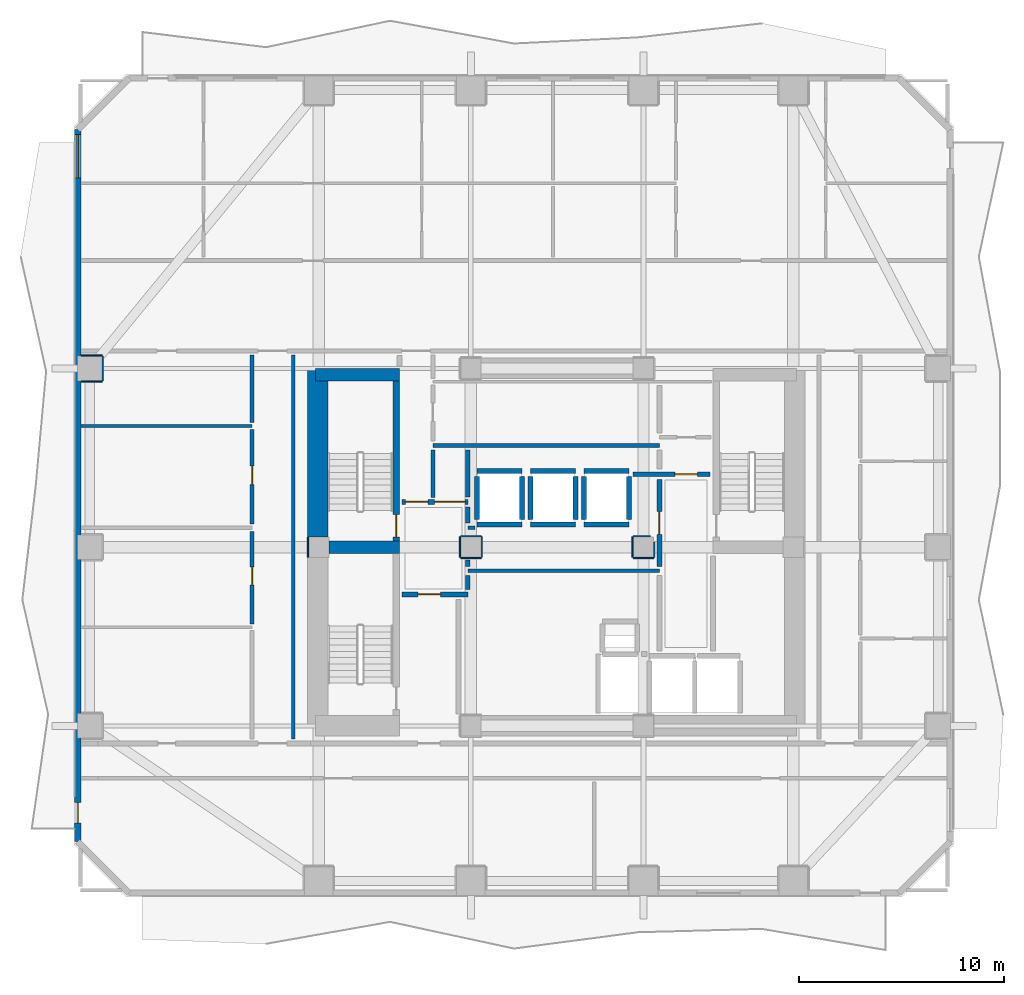
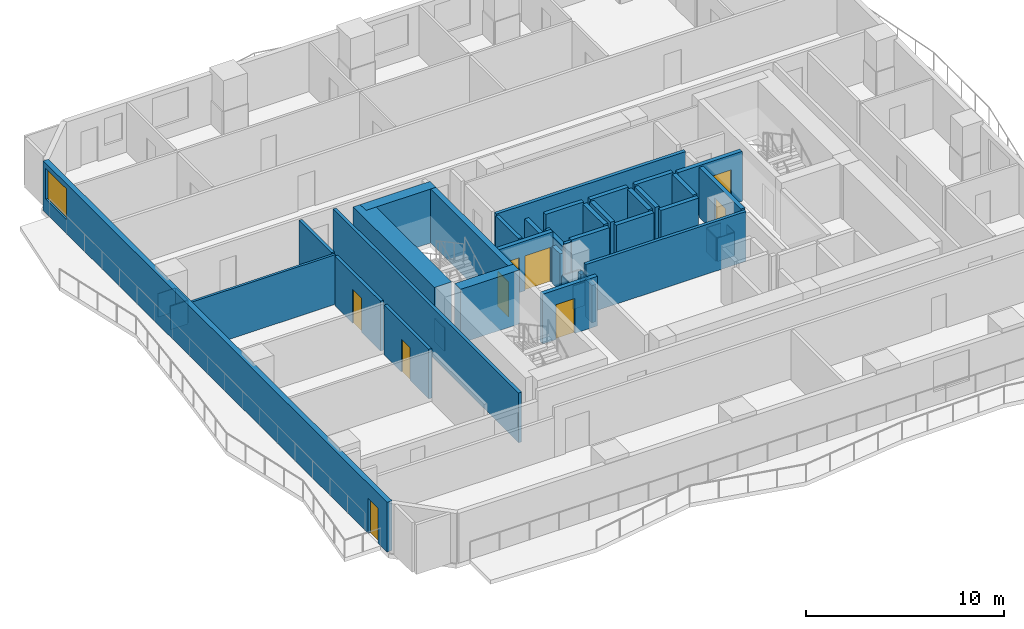
# One storey, part 3 of 10: 46 walls, 9 doors, 1 window, 10 openings.
"""IFC4 building model written with IfcOpenShell, lengths in metres."""

from ifc_helpers import new_model, si_unit, direction, frame, frame_2d, origin, place, context, subcontext, project, spatial, rectangle, extrude, material, layer, layer_set, type_object, element, fill, save


model = new_model("IFC4")

# Units and contexts
model_context = context("Model", 3, precision=1e-05, world=origin(), true_north=direction((0.0, 1.0)))
body_context = subcontext(model_context, "Body", "Model", "MODEL_VIEW")
ifc_project = project(units=[si_unit("LENGTHUNIT", "METRE"), si_unit("AREAUNIT", "SQUARE_METRE"), si_unit("VOLUMEUNIT", "CUBIC_METRE"), si_unit("PLANEANGLEUNIT", "RADIAN"), si_unit("MASSUNIT", "GRAM", prefix="KILO")], contexts=[model_context])

# Site, building, storey
site_placement = place(None, origin())
site = spatial("IfcSite", under=ifc_project, at=site_placement, CompositionType="ELEMENT")
building_placement = place(site_placement, origin())
building = spatial("IfcBuilding", under=site, at=building_placement, Name="Solanera Arch Residences", CompositionType="ELEMENT")
storey_placement = place(building_placement, frame((0.0, 0.0, 92.800048828125)))
storey = spatial("IfcBuildingStorey", under=building, at=storey_placement, Name="L26", CompositionType="ELEMENT", Elevation=92.800048828125)

# Walls
ifc_material_1 = material(Name="Fire-Rated Gypsum Stud Partition", Category="gypsum")
ifc_layer_1 = layer(ifc_material_1, 0.06005859375)
ifc_layer_set_1 = layer_set([ifc_layer_1], Name="Fire-Rated Gypsum Stud Partition")
wall_type_1 = type_object("IfcWallType", Name="Column Acoustic Furring Wall 60", PredefinedType="PARTITIONING", material=ifc_layer_set_1)
wall_1_placement = place(storey_placement, frame((12.867919921875, 30.2099609375, 0.0), z_axis=(0.0, 0.0, 1.0), x_axis=(0.0, 1.0, 0.0)))
element("IfcWall", 1, at=wall_1_placement, inside=storey, type_object=wall_type_1, Name="L26 Column Furring 5W", PredefinedType="PARTITIONING", context=body_context, shape_type="SweptSolid", body=[
    extrude(rectangle(XDim=0.97998046875, YDim=0.06005859375, at=frame_2d((0.489990234375, 0.0))), origin(), (0.0, 0.0, 1.0), 1.449951171875),
])
for number, where, z_axis, x_axis, name in (
    (2, (20.300048828125, 30.16796875, 0.0), (0.0, 0.0, 1.0), (1.0, 0.0, 0.0), "L26 Column Furring 7S"),
    (3, (20.300048828125, 31.23193359375, 0.0), (0.0, 0.0, 1.0), (1.0, 0.0, 0.0), "L26 Column Furring 7N"),
    (4, (20.26806640625, 30.199951171875, 0.0), (0.0, 0.0, 1.0), (0.0, 1.0, 0.0), "L26 Column Furring 7W"),
    (5, (21.33203125, 30.199951171875, 0.0), (0.0, 0.0, 1.0), (0.0, 1.0, 0.0), "L26 Column Furring 7E"),
    (6, (28.699951171875, 30.16796875, 0.0), (0.0, 0.0, 1.0), (1.0, 0.0, 0.0), "L26 Column Furring 8S"),
):
    element("IfcWall", number, at=place(storey_placement, frame(where, z_axis=z_axis, x_axis=x_axis)), inside=storey, type_object=wall_type_1, Name=name, PredefinedType="PARTITIONING", context=body_context, shape_type="SweptSolid", body=[
        extrude(rectangle(XDim=1.0, YDim=0.06005859375, at=frame_2d((0.5, 0.0))), origin(), (0.0, 0.0, 1.0), 1.449951171875),
    ])
wall_2_placement = place(storey_placement, frame((28.699951171875, 31.23193359375, 0.0), z_axis=(0.0, 0.0, 1.0), x_axis=(1.0, 0.0, 0.0)))
element("IfcWall", 7, at=wall_2_placement, inside=storey, type_object=wall_type_1, Name="L26 Column Furring 8N", PredefinedType="PARTITIONING", context=body_context, shape_type="SweptSolid", body=[
    extrude(rectangle(XDim=0.8349609375, YDim=0.06005859375, at=frame_2d((0.41748046875, 0.0))), origin(), (0.0, 0.0, 1.0), 1.449951171875),
])
wall_3_placement = place(storey_placement, frame((28.66796875, 30.199951171875, 0.0), z_axis=(0.0, 0.0, 1.0), x_axis=(0.0, 1.0, 0.0)))
element("IfcWall", 8, at=wall_3_placement, inside=storey, type_object=wall_type_1, Name="L26 Column Furring 8W", PredefinedType="PARTITIONING", context=body_context, shape_type="SweptSolid", body=[
    extrude(rectangle(XDim=1.0, YDim=0.06005859375, at=frame_2d((0.5, 0.0))), origin(), (0.0, 0.0, 1.0), 1.449951171875),
])
wall_4_placement = place(storey_placement, frame((29.73193359375, 30.199951171875, 0.0), z_axis=(0.0, 0.0, 1.0), x_axis=(0.0, 1.0, 0.0)))
element("IfcWall", 9, at=wall_4_placement, inside=storey, type_object=wall_type_1, Name="L26 Column Furring 8E", PredefinedType="PARTITIONING", context=body_context, shape_type="SweptSolid", body=[
    extrude(rectangle(XDim=0.7470703125, YDim=0.06005859375, at=frame_2d((0.37353515625, 0.0))), origin(), (0.0, 0.0, 1.0), 1.449951171875),
])
for number, where, z_axis, x_axis, name in (
    (10, (1.830078125, 38.76806640625, 0.0), (0.0, 0.0, 1.0), (1.0, 0.0, 0.0), "L26 Column Furring 21S"),
    (11, (1.830078125, 40.031982421875, 0.0), (0.0, 0.0, 1.0), (1.0, 0.0, 0.0), "L26 Column Furring 21N"),
):
    element("IfcWall", number, at=place(storey_placement, frame(where, z_axis=z_axis, x_axis=x_axis)), inside=storey, type_object=wall_type_1, Name=name, PredefinedType="PARTITIONING", context=body_context, shape_type="SweptSolid", body=[
        extrude(rectangle(XDim=1.02001953125, YDim=0.06005859375, at=frame_2d((0.510009765625, 0.0))), origin(), (0.0, 0.0, 1.0), 1.449951171875),
    ])
wall_5_placement = place(storey_placement, frame((2.882080078125, 38.800048828125, 0.0), z_axis=(0.0, 0.0, 1.0), x_axis=(0.0, 1.0, 0.0)))
element("IfcWall", 12, at=wall_5_placement, inside=storey, type_object=wall_type_1, Name="L26 Column Furring 21E", PredefinedType="PARTITIONING", context=body_context, shape_type="SweptSolid", body=[
    extrude(rectangle(XDim=1.199951171875, YDim=0.06005859375, at=frame_2d((0.60009765625, 0.0))), origin(), (0.0, 0.0, 1.0), 1.449951171875),
])
ifc_material_2 = material(Name="Concrete C55/67 (f'c = 60 MPa)", Category="concrete")
ifc_layer_2 = layer(ifc_material_2, 1.0)
ifc_layer_set_2 = layer_set([ifc_layer_2], Name="Concrete C55/67 (f'c = 60 MPa)")
wall_type_2 = type_object("IfcWallType", Name="Core Shear Wall CW-1000", PredefinedType="SHEAR", material=ifc_layer_set_2)
wall_6_placement = place(storey_placement, frame((13.340087890625, 31.205078125, 0.0), z_axis=(0.0, 0.0, 1.0), x_axis=(0.0, 1.0, 0.0)))
element("IfcWall", 13, at=wall_6_placement, inside=storey, type_object=wall_type_2, Name="L26 West Core North Shear Wall", PredefinedType="SHEAR", context=body_context, shape_type="SweptSolid", body=[
    extrude(rectangle(XDim=8.19482421875, YDim=1.0, at=frame_2d((4.097412109375, 0.0))), origin(), (0.0, 0.0, 1.0), 3.320068359375),
])

# Wall, opening, door
ifc_material_3 = material(Name="Concrete C40/50 (f'c = 45 MPa)", Category="concrete")
ifc_layer_3 = layer(ifc_material_3, 0.320068359375)
ifc_layer_set_3 = layer_set([ifc_layer_3], Name="Concrete C40/50 (f'c = 45 MPa)")
wall_type_3 = type_object("IfcWallType", Name="Core Shear Wall CW-320", PredefinedType="SHEAR", material=ifc_layer_set_3)
wall_7_placement = place(storey_placement, frame((17.159912109375, 31.0, 0.0), z_axis=(0.0, 0.0, 1.0), x_axis=(0.0, 1.0, 0.0)))
wall_7 = element("IfcWall", 14, at=wall_7_placement, inside=storey, type_object=wall_type_3, Name="L26 Stair ST-T1 East Shear Wall", PredefinedType="SHEAR", context=body_context, shape_type="SweptSolid", body=[
    extrude(rectangle(XDim=7.800048828125, YDim=0.320068359375, at=frame_2d((3.89990234375, 0.0))), origin(), (0.0, 0.0, 1.0), 3.320068359375),
])
opening_1_placement = place(wall_7_placement, frame((0.18994140625, 0.0, 0.0)))
opening_1 = element("IfcOpeningElement", 15, at=opening_1_placement, cuts=wall_7, Name="Opening DF-01", PredefinedType="OPENING", context=body_context, shape_type="SweptSolid", body=[
    extrude(rectangle(XDim=1.10009765625, YDim=2.14990234375, at=frame_2d((0.550048828125, 1.074951171875))), frame((0.0, 0.169921875, 0.0), z_axis=(0.0, -1.0, 0.0), x_axis=(1.0, 0.0, 0.0)), (0.0, 0.0, 1.0), 0.3401),
])
ifc_material_4 = material(Name="Fire-Rated Architectural Hardwood", Category="wood")
door_type_1 = type_object("IfcDoorType", Name="Stair Exit Fire Door DF-01", OperationType="NOTDEFINED", PredefinedType="DOOR", material=ifc_material_4)
door_1_placement = place(opening_1_placement, origin())
door_1 = element("IfcDoor", 16, at=door_1_placement, inside=storey, type_object=door_type_1, Name="DR-L26-STAIR-ST-T1", OperationType="SINGLE_SWING_RIGHT", OverallHeight=2.14990234375, OverallWidth=1.10009765625, PredefinedType="DOOR", context=body_context, shape_type="SweptSolid", body=[
    extrude(rectangle(XDim=1.10009765625, YDim=2.14990234375, at=frame_2d((0.550048828125, 1.074951171875))), frame((0.0, 0.02490234375, 0.0), z_axis=(0.0, -1.0, 0.0), x_axis=(1.0, 0.0, 0.0)), (0.0, 0.0, 1.0), 0.050048828125),
])
fill(opening_1, door_1)

# Walls
ifc_material_5 = material(Name="Concrete C40/50 (f'c = 45 MPa)", Category="concrete")
ifc_layer_4 = layer(ifc_material_5, 0.60009765625)
ifc_layer_set_4 = layer_set([ifc_layer_4], Name="Concrete C40/50 (f'c = 45 MPa)")
wall_type_4 = type_object("IfcWallType", Name="Core Shear Wall CW-600", PredefinedType="SHEAR", material=ifc_layer_set_4)
wall_8_placement = place(storey_placement, frame((13.239990234375, 39.10009765625, 0.0), z_axis=(0.0, 0.0, 1.0), x_axis=(1.0, 0.0, 0.0)))
element("IfcWall", 17, at=wall_8_placement, inside=storey, type_object=wall_type_4, Name="L26 North-West Core Shear Wall", PredefinedType="SHEAR", context=body_context, shape_type="SweptSolid", body=[
    extrude(rectangle(XDim=4.080078125, YDim=0.60009765625, at=frame_2d((2.0400390625, 0.0))), origin(), (0.0, 0.0, 1.0), 3.320068359375),
])
wall_9_placement = place(storey_placement, frame((13.905029296875, 30.699951171875, 0.0), z_axis=(0.0, 0.0, 1.0), x_axis=(1.0, 0.0, 0.0)))
element("IfcWall", 18, at=wall_9_placement, inside=storey, type_object=wall_type_4, Name="L26 West Stair Divider Shear Wall", PredefinedType="SHEAR", context=body_context, shape_type="SweptSolid", body=[
    extrude(rectangle(XDim=3.4150390625, YDim=0.60009765625, at=frame_2d((1.70751953125, 0.0))), origin(), (0.0, 0.0, 1.0), 3.320068359375),
])
ifc_material_6 = material(Name="Autoclaved Aerated Concrete Blockwork", Category="masonry")
ifc_layer_5 = layer(ifc_material_6, 0.179931640625)
ifc_layer_set_5 = layer_set([ifc_layer_5], Name="Autoclaved Aerated Concrete Blockwork")
wall_type_5 = type_object("IfcWallType", Name="Corridor Fire Partition 180", PredefinedType="PARTITIONING", material=ifc_layer_set_5)
wall_10_placement = place(storey_placement, frame((20.64990234375, 29.550048828125, 0.0), z_axis=(0.0, 0.0, 1.0), x_axis=(1.0, 0.0, 0.0)))
element("IfcWall", 19, at=wall_10_placement, inside=storey, type_object=wall_type_5, Name="L26 Interior Partition H9", PredefinedType="PARTITIONING", context=body_context, shape_type="SweptSolid", body=[
    extrude(rectangle(XDim=9.3251953125, YDim=0.179931640625, at=frame_2d((4.66259765625, 0.0))), origin(), (0.0, 0.0, 1.0), 3.06005859375),
])
wall_11_placement = place(storey_placement, frame((20.64990234375, 31.64990234375, 0.0), z_axis=(0.0, 0.0, 1.0), x_axis=(1.0, 0.0, 0.0)))
element("IfcWall", 20, at=wall_11_placement, inside=storey, type_object=wall_type_5, Name="L26 Interior Partition H11", PredefinedType="PARTITIONING", context=body_context, shape_type="SweptSolid", body=[
    extrude(rectangle(XDim=0.357177734375, YDim=0.179931640625, at=frame_2d((0.1787109375, 0.0))), origin(), (0.0, 0.0, 1.0), 3.06005859375),
])

# Wall, opening, door
wall_12_placement = place(storey_placement, frame((10.14990234375, 26.968017578125, 0.0), z_axis=(0.0, 0.0, 1.0), x_axis=(0.0, 1.0, 0.0)))
wall_12 = element("IfcWall", 21, at=wall_12_placement, inside=storey, type_object=wall_type_5, Name="L26 Interior Partition V8 2", PredefinedType="PARTITIONING", context=body_context, shape_type="SweptSolid", body=[
    extrude(rectangle(XDim=4.493896484375, YDim=0.179931640625, at=frame_2d((2.2470703125, 0.0))), origin(), (0.0, 0.0, 1.0), 3.06005859375),
])
opening_2_placement = place(wall_12_placement, frame((1.902099609375, 0.0, 0.0)))
opening_2 = element("IfcOpeningElement", 22, at=opening_2_placement, cuts=wall_12, Name="Opening DI-05", PredefinedType="OPENING", context=body_context, shape_type="SweptSolid", body=[
    extrude(rectangle(XDim=0.860107421875, YDim=2.02001953125, at=frame_2d((0.43017578125, 1.010009765625))), frame((0.0, 0.10009765625, 0.0), z_axis=(0.0, -1.0, 0.0), x_axis=(1.0, 0.0, 0.0)), (0.0, 0.0, 1.0), 0.1999),
])
ifc_material_7 = material(Name="Fire-Rated Architectural Hardwood", Category="wood")
door_type_2 = type_object("IfcDoorType", Name="Bathroom Swing Door DI-05", OperationType="NOTDEFINED", PredefinedType="DOOR", material=ifc_material_7)
door_2_placement = place(opening_2_placement, origin())
door_2 = element("IfcDoor", 23, at=door_2_placement, inside=storey, type_object=door_type_2, Name="DR-L26-IN-020", OperationType="SINGLE_SWING_LEFT", OverallHeight=2.02001953125, OverallWidth=0.860107421875, PredefinedType="DOOR", context=body_context, shape_type="SweptSolid", body=[
    extrude(rectangle(XDim=0.860107421875, YDim=2.02001953125, at=frame_2d((0.43017578125, 1.010009765625))), frame((0.0, 0.02490234375, 0.0), z_axis=(0.0, -1.0, 0.0), x_axis=(1.0, 0.0, 0.0)), (0.0, 0.0, 1.0), 0.050048828125),
])
fill(opening_2, door_2)

wall_13_placement = place(storey_placement, frame((10.14990234375, 31.837890625, 0.0), z_axis=(0.0, 0.0, 1.0), x_axis=(0.0, 1.0, 0.0)))
wall_13 = element("IfcWall", 24, at=wall_13_placement, inside=storey, type_object=wall_type_5, Name="L26 Interior Partition V8 3", PredefinedType="PARTITIONING", context=body_context, shape_type="SweptSolid", body=[
    extrude(rectangle(XDim=4.593994140625, YDim=0.179931640625, at=frame_2d((2.296875, 0.0))), origin(), (0.0, 0.0, 1.0), 3.06005859375),
])
opening_3_placement = place(wall_13_placement, frame((1.912109375, 0.0, 0.0)))
opening_3 = element("IfcOpeningElement", 25, at=opening_3_placement, cuts=wall_13, Name="Opening DI-02", PredefinedType="OPENING", context=body_context, shape_type="SweptSolid", body=[
    extrude(rectangle(XDim=0.89990234375, YDim=2.10009765625, at=frame_2d((0.449951171875, 1.050048828125))), frame((0.0, 0.10009765625, 0.0), z_axis=(0.0, -1.0, 0.0), x_axis=(1.0, 0.0, 0.0)), (0.0, 0.0, 1.0), 0.1999),
])
ifc_material_8 = material(Name="Fire-Rated Architectural Hardwood", Category="wood")
door_type_3 = type_object("IfcDoorType", Name="Suite Room Swing Door DI-02", OperationType="NOTDEFINED", PredefinedType="DOOR", material=ifc_material_8)
door_3_placement = place(opening_3_placement, origin())
door_3 = element("IfcDoor", 26, at=door_3_placement, inside=storey, type_object=door_type_3, Name="DR-L26-IN-021", OperationType="SINGLE_SWING_RIGHT", OverallHeight=2.10009765625, OverallWidth=0.89990234375, PredefinedType="DOOR", context=body_context, shape_type="SweptSolid", body=[
    extrude(rectangle(XDim=0.89990234375, YDim=2.10009765625, at=frame_2d((0.449951171875, 1.050048828125))), frame((0.0, 0.02490234375, 0.0), z_axis=(0.0, -1.0, 0.0), x_axis=(1.0, 0.0, 0.0)), (0.0, 0.0, 1.0), 0.050048828125),
])
fill(opening_3, door_3)

# Walls
wall_14_placement = place(storey_placement, frame((10.14990234375, 36.76806640625, 0.0), z_axis=(0.0, 0.0, 1.0), x_axis=(0.0, 1.0, 0.0)))
element("IfcWall", 27, at=wall_14_placement, inside=storey, type_object=wall_type_5, Name="L26 Interior Partition V8 4", PredefinedType="PARTITIONING", context=body_context, shape_type="SweptSolid", body=[
    extrude(rectangle(XDim=3.2939453125, YDim=0.179931640625, at=frame_2d((1.64697265625, 0.0))), origin(), (0.0, 0.0, 1.0), 3.06005859375),
])
wall_15_placement = place(storey_placement, frame((12.14990234375, 21.367919921875, 0.0), z_axis=(0.0, 0.0, 1.0), x_axis=(0.0, 1.0, 0.0)))
element("IfcWall", 28, at=wall_15_placement, inside=storey, type_object=wall_type_5, Name="L26 Interior Partition V9", PredefinedType="PARTITIONING", context=body_context, shape_type="SweptSolid", body=[
    extrude(rectangle(XDim=18.694091796875, YDim=0.179931640625, at=frame_2d((9.34716796875, 0.0))), origin(), (0.0, 0.0, 1.0), 3.06005859375),
])

# Wall, openings, door, window
ifc_material_9 = material(Name="Precast Concrete C35/45", Category="concrete")
ifc_layer_6 = layer(ifc_material_9, 0.300048828125)
ifc_layer_set_6 = layer_set([ifc_layer_6], Name="Precast Concrete C35/45")
wall_type_6 = type_object("IfcWallType", Name="Exterior Wall Precast Masonry-Frame 300", PredefinedType="STANDARD", material=ifc_layer_set_6)
wall_16_placement = place(storey_placement, frame((1.6650390625, 16.364990234375, 0.0), z_axis=(0.0, 0.0, 1.0), x_axis=(0.0, 1.0, 0.0)))
wall_16 = element("IfcWall", 29, at=wall_16_placement, inside=storey, type_object=wall_type_6, Name="L26 Tower Exterior Precast Masonry-Frame Wall W", PredefinedType="STANDARD", context=body_context, shape_type="SweptSolid", body=[
    extrude(rectangle(XDim=34.669921875, YDim=0.300048828125, at=frame_2d((17.3349609375, 0.0))), origin(), (0.0, 0.0, 1.0), 3.06005859375),
])
opening_4_placement = place(wall_16_placement, frame((0.90087890625, 0.0, 0.0)))
opening_4 = element("IfcOpeningElement", 30, at=opening_4_placement, cuts=wall_16, Name="Opening DB-01", PredefinedType="OPENING", context=body_context, shape_type="SweptSolid", body=[
    extrude(rectangle(XDim=1.0, YDim=2.14990234375, at=frame_2d((0.5, 1.074951171875))), frame((0.0, 0.159912109375, 0.0), z_axis=(0.0, -1.0, 0.0), x_axis=(1.0, 0.0, 0.0)), (0.0, 0.0, 1.0), 0.32),
])
opening_5_placement = place(wall_16_placement, frame((32.31396484375, 0.0, 0.85009765625)))
opening_5 = element("IfcOpeningElement", 31, at=opening_5_placement, cuts=wall_16, Name="Opening W-04", PredefinedType="OPENING", context=body_context, shape_type="SweptSolid", body=[
    extrude(rectangle(XDim=2.10009765625, YDim=1.89990234375, at=frame_2d((1.050048828125, 0.949951171875))), frame((0.0, 0.159912109375, 0.0), z_axis=(0.0, -1.0, 0.0), x_axis=(1.0, 0.0, 0.0)), (0.0, 0.0, 1.0), 0.32),
])
ifc_material_10 = material(Name="Anodised Aluminium Alloy 6063-T6", Category="aluminium")
door_type_4 = type_object("IfcDoorType", Name="Glazed Balcony Swing Door DB-01", OperationType="NOTDEFINED", PredefinedType="DOOR", material=ifc_material_10)
door_4_placement = place(opening_4_placement, origin())
door_4 = element("IfcDoor", 32, at=door_4_placement, inside=storey, type_object=door_type_4, Name="DR-L26-OUT-04", OperationType="SINGLE_SWING_LEFT", OverallHeight=2.14990234375, OverallWidth=1.0, PredefinedType="DOOR", context=body_context, shape_type="SweptSolid", body=[
    extrude(rectangle(XDim=1.0, YDim=2.14990234375, at=frame_2d((0.5, 1.074951171875))), frame((0.0, 0.02490234375, 0.0), z_axis=(0.0, -1.0, 0.0), x_axis=(1.0, 0.0, 0.0)), (0.0, 0.0, 1.0), 0.050048828125),
])
fill(opening_4, door_4)
ifc_material_11 = material(Name="Double Glazed Low-E Laminated Glass", Category="glass")
window_type = type_object("IfcWindowType", Name="Punched Window W-04", PartitioningType="DOUBLE_PANEL_VERTICAL", PredefinedType="WINDOW", material=ifc_material_11)
window_placement = place(opening_5_placement, origin())
window = element("IfcWindow", 33, at=window_placement, inside=storey, type_object=window_type, Name="L26 2601-BR1 Punched Window", OverallHeight=1.89990234375, OverallWidth=2.10009765625, PartitioningType="SINGLE_PANEL", PredefinedType="WINDOW", context=body_context, shape_type="SweptSolid", body=[
    extrude(rectangle(XDim=2.10009765625, YDim=1.89990234375, at=frame_2d((1.050048828125, 0.949951171875))), frame((0.0, 0.030029296875, 0.0), z_axis=(0.0, -1.0, 0.0), x_axis=(1.0, 0.0, 0.0)), (0.0, 0.0, 1.0), 0.06005859375),
])
fill(opening_5, window)

# Walls
ifc_material_12 = material(Name="Autoclaved Aerated Concrete Blockwork", Category="masonry")
ifc_layer_7 = layer(ifc_material_12, 0.199951171875)
ifc_layer_set_7 = layer_set([ifc_layer_7], Name="Autoclaved Aerated Concrete Blockwork")
wall_type_7 = type_object("IfcWallType", Name="Party Wall Acoustic 200", PredefinedType="PARTITIONING", material=ifc_layer_set_7)
wall_17_placement = place(storey_placement, frame((18.949951171875, 35.64990234375, 0.0), z_axis=(0.0, 0.0, 1.0), x_axis=(1.0, 0.0, 0.0)))
element("IfcWall", 34, at=wall_17_placement, inside=storey, type_object=wall_type_7, Name="L26 Interior Partition H6", PredefinedType="PARTITIONING", context=body_context, shape_type="SweptSolid", body=[
    extrude(rectangle(XDim=11.025146484375, YDim=0.199951171875, at=frame_2d((5.5126953125, 0.0))), origin(), (0.0, 0.0, 1.0), 3.06005859375),
])
wall_18_placement = place(storey_placement, frame((18.949951171875, 33.1279296875, 0.0), z_axis=(0.0, 0.0, 1.0), x_axis=(0.0, 1.0, 0.0)))
element("IfcWall", 35, at=wall_18_placement, inside=storey, type_object=wall_type_7, Name="L26 Interior Partition V6 1", PredefinedType="PARTITIONING", context=body_context, shape_type="SweptSolid", body=[
    extrude(rectangle(XDim=2.31396484375, YDim=0.199951171875, at=frame_2d((1.156982421875, 0.0))), origin(), (0.0, 0.0, 1.0), 3.06005859375),
])
ifc_material_13 = material(Name="Autoclaved Aerated Concrete Blockwork", Category="masonry")
ifc_layer_8 = layer(ifc_material_13, 0.239990234375)
ifc_layer_set_8 = layer_set([ifc_layer_8], Name="Autoclaved Aerated Concrete Blockwork")
wall_type_8 = type_object("IfcWallType", Name="Shaft Wall Fire-Rated 240", PredefinedType="PARTITIONING", material=ifc_layer_set_8)
for number, where, z_axis, x_axis, name in (
    (36, (21.10009765625, 31.800048828125, 0.0), (0.0, 0.0, 1.0), (1.0, 0.0, 0.0), "L26 Lift PL-M1 Hoistway Wall S"),
    (37, (21.10009765625, 34.39990234375, 0.0), (0.0, 0.0, 1.0), (1.0, 0.0, 0.0), "L26 Lift PL-M1 Hoistway Wall N"),
):
    element("IfcWall", number, at=place(storey_placement, frame(where, z_axis=z_axis, x_axis=x_axis)), inside=storey, type_object=wall_type_8, Name=name, PredefinedType="PARTITIONING", context=body_context, shape_type="SweptSolid", body=[
        extrude(rectangle(XDim=2.199951171875, YDim=0.239990234375, at=frame_2d((1.10009765625, 0.0))), origin(), (0.0, 0.0, 1.0), 3.06005859375),
    ])
wall_19_placement = place(storey_placement, frame((21.10009765625, 32.048095703125, 0.0), z_axis=(0.0, 0.0, 1.0), x_axis=(0.0, 1.0, 0.0)))
element("IfcWall", 38, at=wall_19_placement, inside=storey, type_object=wall_type_8, Name="L26 Lift PL-M1 Hoistway Wall W", PredefinedType="PARTITIONING", context=body_context, shape_type="SweptSolid", body=[
    extrude(rectangle(XDim=2.10400390625, YDim=0.239990234375, at=frame_2d((1.052001953125, 0.0))), origin(), (0.0, 0.0, 1.0), 2.294921875),
])
wall_20_placement = place(storey_placement, frame((23.300048828125, 32.048095703125, 0.0), z_axis=(0.0, 0.0, 1.0), x_axis=(0.0, 1.0, 0.0)))
element("IfcWall", 39, at=wall_20_placement, inside=storey, type_object=wall_type_8, Name="L26 Lift PL-M1 Hoistway Wall E", PredefinedType="PARTITIONING", context=body_context, shape_type="SweptSolid", body=[
    extrude(rectangle(XDim=2.10400390625, YDim=0.239990234375, at=frame_2d((1.052001953125, 0.0))), origin(), (0.0, 0.0, 1.0), 3.06005859375),
])
for number, where, z_axis, x_axis, name in (
    (40, (23.699951171875, 31.800048828125, 0.0), (0.0, 0.0, 1.0), (1.0, 0.0, 0.0), "L26 Lift PL-M2 Hoistway Wall S"),
    (41, (23.699951171875, 34.39990234375, 0.0), (0.0, 0.0, 1.0), (1.0, 0.0, 0.0), "L26 Lift PL-M2 Hoistway Wall N"),
):
    element("IfcWall", number, at=place(storey_placement, frame(where, z_axis=z_axis, x_axis=x_axis)), inside=storey, type_object=wall_type_8, Name=name, PredefinedType="PARTITIONING", context=body_context, shape_type="SweptSolid", body=[
        extrude(rectangle(XDim=2.199951171875, YDim=0.239990234375, at=frame_2d((1.10009765625, 0.0))), origin(), (0.0, 0.0, 1.0), 3.06005859375),
    ])
for number, where, z_axis, x_axis, name in (
    (42, (23.699951171875, 32.048095703125, 0.0), (0.0, 0.0, 1.0), (0.0, 1.0, 0.0), "L26 Lift PL-M2 Hoistway Wall W"),
    (43, (25.89990234375, 32.048095703125, 0.0), (0.0, 0.0, 1.0), (0.0, 1.0, 0.0), "L26 Lift PL-M2 Hoistway Wall E"),
):
    element("IfcWall", number, at=place(storey_placement, frame(where, z_axis=z_axis, x_axis=x_axis)), inside=storey, type_object=wall_type_8, Name=name, PredefinedType="PARTITIONING", context=body_context, shape_type="SweptSolid", body=[
        extrude(rectangle(XDim=2.10400390625, YDim=0.239990234375, at=frame_2d((1.052001953125, 0.0))), origin(), (0.0, 0.0, 1.0), 3.06005859375),
    ])
for number, where, z_axis, x_axis, name in (
    (44, (26.300048828125, 31.800048828125, 0.0), (0.0, 0.0, 1.0), (1.0, 0.0, 0.0), "L26 Lift PL-M3 Hoistway Wall S"),
    (45, (26.300048828125, 34.39990234375, 0.0), (0.0, 0.0, 1.0), (1.0, 0.0, 0.0), "L26 Lift PL-M3 Hoistway Wall N"),
):
    element("IfcWall", number, at=place(storey_placement, frame(where, z_axis=z_axis, x_axis=x_axis)), inside=storey, type_object=wall_type_8, Name=name, PredefinedType="PARTITIONING", context=body_context, shape_type="SweptSolid", body=[
        extrude(rectangle(XDim=2.199951171875, YDim=0.239990234375, at=frame_2d((1.10009765625, 0.0))), origin(), (0.0, 0.0, 1.0), 3.06005859375),
    ])
for number, where, z_axis, x_axis, name in (
    (46, (26.300048828125, 32.048095703125, 0.0), (0.0, 0.0, 1.0), (0.0, 1.0, 0.0), "L26 Lift PL-M3 Hoistway Wall W"),
    (47, (28.5, 32.048095703125, 0.0), (0.0, 0.0, 1.0), (0.0, 1.0, 0.0), "L26 Lift PL-M3 Hoistway Wall E"),
):
    element("IfcWall", number, at=place(storey_placement, frame(where, z_axis=z_axis, x_axis=x_axis)), inside=storey, type_object=wall_type_8, Name=name, PredefinedType="PARTITIONING", context=body_context, shape_type="SweptSolid", body=[
        extrude(rectangle(XDim=2.10400390625, YDim=0.239990234375, at=frame_2d((1.052001953125, 0.0))), origin(), (0.0, 0.0, 1.0), 3.06005859375),
    ])

# Wall, opening, door
wall_21_placement = place(storey_placement, frame((17.449951171875, 28.39990234375, 0.0), z_axis=(0.0, 0.0, 1.0), x_axis=(1.0, 0.0, 0.0)))
wall_21 = element("IfcWall", 48, at=wall_21_placement, inside=storey, type_object=wall_type_8, Name="L26 Interior Partition H3", PredefinedType="PARTITIONING", context=body_context, shape_type="SweptSolid", body=[
    extrude(rectangle(XDim=3.199951171875, YDim=0.239990234375, at=frame_2d((1.60009765625, 0.0))), origin(), (0.0, 0.0, 1.0), 3.06005859375),
])
opening_6_placement = place(wall_21_placement, frame((0.783935546875, 0.0, 0.0)))
opening_6 = element("IfcOpeningElement", 49, at=opening_6_placement, cuts=wall_21, Name="Opening DF-02", PredefinedType="OPENING", context=body_context, shape_type="SweptSolid", body=[
    extrude(rectangle(XDim=1.10009765625, YDim=2.14990234375, at=frame_2d((0.550048828125, 1.074951171875))), frame((0.0, 0.1298828125, 0.0), z_axis=(0.0, -1.0, 0.0), x_axis=(1.0, 0.0, 0.0)), (0.0, 0.0, 1.0), 0.26),
])
ifc_material_14 = material(Name="Fire-Rated Architectural Hardwood", Category="wood")
door_type_5 = type_object("IfcDoorType", Name="Firefighting Lobby Fire Door DF-02", OperationType="NOTDEFINED", PredefinedType="DOOR", material=ifc_material_14)
door_5_placement = place(opening_6_placement, origin())
door_5 = element("IfcDoor", 50, at=door_5_placement, inside=storey, type_object=door_type_5, Name="DR-L26-IN-004", OperationType="SINGLE_SWING_LEFT", OverallHeight=2.14990234375, OverallWidth=1.10009765625, PredefinedType="DOOR", context=body_context, shape_type="SweptSolid", body=[
    extrude(rectangle(XDim=1.10009765625, YDim=2.14990234375, at=frame_2d((0.550048828125, 1.074951171875))), frame((0.0, 0.02490234375, 0.0), z_axis=(0.0, -1.0, 0.0), x_axis=(1.0, 0.0, 0.0)), (0.0, 0.0, 1.0), 0.050048828125),
])
fill(opening_6, door_5)

# Wall, openings, doors
wall_22_placement = place(storey_placement, frame((17.449951171875, 32.89990234375, 0.0), z_axis=(0.0, 0.0, 1.0), x_axis=(1.0, 0.0, 0.0)))
wall_22 = element("IfcWall", 51, at=wall_22_placement, inside=storey, type_object=wall_type_8, Name="L26 Interior Partition H4", PredefinedType="PARTITIONING", context=body_context, shape_type="SweptSolid", body=[
    extrude(rectangle(XDim=3.199951171875, YDim=0.239990234375, at=frame_2d((1.60009765625, 0.0))), origin(), (0.0, 0.0, 1.0), 3.06005859375),
])
opening_7_placement = place(wall_22_placement, frame((0.158935546875, 0.0, 0.0)))
opening_7 = element("IfcOpeningElement", 52, at=opening_7_placement, cuts=wall_22, Name="Opening DF-02", PredefinedType="OPENING", context=body_context, shape_type="SweptSolid", body=[
    extrude(rectangle(XDim=1.10009765625, YDim=2.14990234375, at=frame_2d((0.550048828125, 1.074951171875))), frame((0.0, 0.1298828125, 0.0), z_axis=(0.0, -1.0, 0.0), x_axis=(1.0, 0.0, 0.0)), (0.0, 0.0, 1.0), 0.26),
])
opening_8_placement = place(wall_22_placement, frame((1.575927734375, 0.0, 0.0)))
opening_8 = element("IfcOpeningElement", 53, at=opening_8_placement, cuts=wall_22, Name="Opening DP-01", PredefinedType="OPENING", context=body_context, shape_type="SweptSolid", body=[
    extrude(rectangle(XDim=1.5, YDim=2.14990234375, at=frame_2d((0.75, 1.074951171875))), frame((0.0, 0.1298828125, 0.0), z_axis=(0.0, -1.0, 0.0), x_axis=(1.0, 0.0, 0.0)), (0.0, 0.0, 1.0), 0.26),
])
door_6_placement = place(opening_7_placement, origin())
door_6 = element("IfcDoor", 54, at=door_6_placement, inside=storey, type_object=door_type_5, Name="DR-L26-IN-005", OperationType="SINGLE_SWING_RIGHT", OverallHeight=2.14990234375, OverallWidth=1.10009765625, PredefinedType="DOOR", context=body_context, shape_type="SweptSolid", body=[
    extrude(rectangle(XDim=1.10009765625, YDim=2.14990234375, at=frame_2d((0.550048828125, 1.074951171875))), frame((0.0, 0.02490234375, 0.0), z_axis=(0.0, -1.0, 0.0), x_axis=(1.0, 0.0, 0.0)), (0.0, 0.0, 1.0), 0.050048828125),
])
fill(opening_7, door_6)
ifc_material_15 = material(Name="Fire-Rated Architectural Hardwood", Category="wood")
door_type_6 = type_object("IfcDoorType", Name="Plant Double Fire Door DP-01", OperationType="NOTDEFINED", PredefinedType="DOOR", material=ifc_material_15)
door_7_placement = place(opening_8_placement, origin())
door_7 = element("IfcDoor", 55, at=door_7_placement, inside=storey, type_object=door_type_6, Name="DR-L26-IN-015", OperationType="SINGLE_SWING_RIGHT", OverallHeight=2.14990234375, OverallWidth=1.5, PredefinedType="DOOR", context=body_context, shape_type="SweptSolid", body=[
    extrude(rectangle(XDim=1.5, YDim=2.14990234375, at=frame_2d((0.75, 1.074951171875))), frame((0.0, 0.02490234375, 0.0), z_axis=(0.0, -1.0, 0.0), x_axis=(1.0, 0.0, 0.0)), (0.0, 0.0, 1.0), 0.050048828125),
])
fill(opening_8, door_7)

# Wall, opening, door
wall_23_placement = place(storey_placement, frame((28.701904296875, 34.25, 0.0), z_axis=(0.0, 0.0, 1.0), x_axis=(1.0, 0.0, 0.0)))
wall_23 = element("IfcWall", 56, at=wall_23_placement, inside=storey, type_object=wall_type_8, Name="L26 Interior Partition H5", PredefinedType="PARTITIONING", context=body_context, shape_type="SweptSolid", body=[
    extrude(rectangle(XDim=3.748046875, YDim=0.239990234375, at=frame_2d((1.8740234375, 0.0))), origin(), (0.0, 0.0, 1.0), 3.06005859375),
])
opening_9_placement = place(wall_23_placement, frame((2.02490234375, 0.0, 0.0)))
opening_9 = element("IfcOpeningElement", 57, at=opening_9_placement, cuts=wall_23, Name="Opening DF-02", PredefinedType="OPENING", context=body_context, shape_type="SweptSolid", body=[
    extrude(rectangle(XDim=1.10009765625, YDim=2.14990234375, at=frame_2d((0.550048828125, 1.074951171875))), frame((0.0, 0.1298828125, 0.0), z_axis=(0.0, -1.0, 0.0), x_axis=(1.0, 0.0, 0.0)), (0.0, 0.0, 1.0), 0.26),
])
door_8_placement = place(opening_9_placement, origin())
door_8 = element("IfcDoor", 58, at=door_8_placement, inside=storey, type_object=door_type_5, Name="DR-L26-IN-007", OperationType="SINGLE_SWING_RIGHT", OverallHeight=2.14990234375, OverallWidth=1.10009765625, PredefinedType="DOOR", context=body_context, shape_type="SweptSolid", body=[
    extrude(rectangle(XDim=1.10009765625, YDim=2.14990234375, at=frame_2d((0.550048828125, 1.074951171875))), frame((0.0, 0.02490234375, 0.0), z_axis=(0.0, -1.0, 0.0), x_axis=(1.0, 0.0, 0.0)), (0.0, 0.0, 1.0), 0.050048828125),
])
fill(opening_9, door_8)

# Walls
wall_24_placement = place(storey_placement, frame((20.64990234375, 28.64794921875, 0.0), z_axis=(0.0, 0.0, 1.0), x_axis=(0.0, 1.0, 0.0)))
element("IfcWall", 59, at=wall_24_placement, inside=storey, type_object=wall_type_8, Name="L26 Interior Partition V3 1", PredefinedType="PARTITIONING", context=body_context, shape_type="SweptSolid", body=[
    extrude(rectangle(XDim=0.68408203125, YDim=0.239990234375, at=frame_2d((0.342041015625, 0.0))), origin(), (0.0, 0.0, 1.0), 2.294921875),
])
wall_25_placement = place(storey_placement, frame((20.64990234375, 29.76806640625, 0.0), z_axis=(0.0, 0.0, 1.0), x_axis=(0.0, 1.0, 0.0)))
element("IfcWall", 60, at=wall_25_placement, inside=storey, type_object=wall_type_8, Name="L26 Interior Partition V3 2", PredefinedType="PARTITIONING", context=body_context, shape_type="SweptSolid", body=[
    extrude(rectangle(XDim=0.300048828125, YDim=0.239990234375, at=frame_2d((0.14990234375, 0.0))), origin(), (0.0, 0.0, 1.0), 2.294921875),
])
wall_26_placement = place(storey_placement, frame((20.64990234375, 31.867919921875, 0.0), z_axis=(0.0, 0.0, 1.0), x_axis=(0.0, 1.0, 0.0)))
element("IfcWall", 61, at=wall_26_placement, inside=storey, type_object=wall_type_8, Name="L26 Interior Partition V3 3", PredefinedType="PARTITIONING", context=body_context, shape_type="SweptSolid", body=[
    extrude(rectangle(XDim=0.7841796875, YDim=0.239990234375, at=frame_2d((0.39208984375, 0.0))), origin(), (0.0, 0.0, 1.0), 2.294921875),
])
wall_27_placement = place(storey_placement, frame((20.64990234375, 33.14794921875, 0.0), z_axis=(0.0, 0.0, 1.0), x_axis=(0.0, 1.0, 0.0)))
element("IfcWall", 62, at=wall_27_placement, inside=storey, type_object=wall_type_8, Name="L26 Interior Partition V3 4", PredefinedType="PARTITIONING", context=body_context, shape_type="SweptSolid", body=[
    extrude(rectangle(XDim=2.274169921875, YDim=0.239990234375, at=frame_2d((1.13720703125, 0.0))), origin(), (0.0, 0.0, 1.0), 2.294921875),
])

# Wall, opening, door
wall_28_placement = place(storey_placement, frame((29.97509765625, 29.76806640625, 0.0), z_axis=(0.0, 0.0, 1.0), x_axis=(0.0, 1.0, 0.0)))
wall_28 = element("IfcWall", 63, at=wall_28_placement, inside=storey, type_object=wall_type_8, Name="L26 Interior Partition V4 2", PredefinedType="PARTITIONING", context=body_context, shape_type="SweptSolid", body=[
    extrude(rectangle(XDim=4.23388671875, YDim=0.239990234375, at=frame_2d((2.116943359375, 0.0))), origin(), (0.0, 0.0, 1.0), 3.06005859375),
])
opening_10_placement = place(wall_28_placement, frame((1.556884765625, 0.0, 0.0)))
opening_10 = element("IfcOpeningElement", 64, at=opening_10_placement, cuts=wall_28, Name="Opening DF-02", PredefinedType="OPENING", context=body_context, shape_type="SweptSolid", body=[
    extrude(rectangle(XDim=1.10009765625, YDim=2.14990234375, at=frame_2d((0.550048828125, 1.074951171875))), frame((0.0, 0.1298828125, 0.0), z_axis=(0.0, -1.0, 0.0), x_axis=(1.0, 0.0, 0.0)), (0.0, 0.0, 1.0), 0.26),
])
door_9_placement = place(opening_10_placement, origin())
door_9 = element("IfcDoor", 65, at=door_9_placement, inside=storey, type_object=door_type_5, Name="DR-L26-IN-006", OperationType="SINGLE_SWING_LEFT", OverallHeight=2.14990234375, OverallWidth=1.10009765625, PredefinedType="DOOR", context=body_context, shape_type="SweptSolid", body=[
    extrude(rectangle(XDim=1.10009765625, YDim=2.14990234375, at=frame_2d((0.550048828125, 1.074951171875))), frame((0.0, 0.02490234375, 0.0), z_axis=(0.0, -1.0, 0.0), x_axis=(1.0, 0.0, 0.0)), (0.0, 0.0, 1.0), 0.050048828125),
])
fill(opening_10, door_9)

# Wall
ifc_material_16 = material(Name="Autoclaved Aerated Concrete Blockwork", Category="masonry")
ifc_layer_9 = layer(ifc_material_16, 0.139892578125)
ifc_layer_set_9 = layer_set([ifc_layer_9], Name="Autoclaved Aerated Concrete Blockwork")
wall_type_9 = type_object("IfcWallType", Name="Wet-Room Partition 140", PredefinedType="PARTITIONING", material=ifc_layer_set_9)
wall_29_placement = place(storey_placement, frame((1.826904296875, 36.60009765625, 0.0), z_axis=(0.0, 0.0, 1.0), x_axis=(1.0, 0.0, 0.0)))
element("IfcWall", 66, at=wall_29_placement, inside=storey, type_object=wall_type_9, Name="L26 Interior Partition H17", PredefinedType="PARTITIONING", context=body_context, shape_type="SweptSolid", body=[
    extrude(rectangle(XDim=8.322998046875, YDim=0.139892578125, at=frame_2d((4.16162109375, 0.0))), origin(), (0.0, 0.0, 1.0), 3.06005859375),
])

save(model, "model.ifc")
